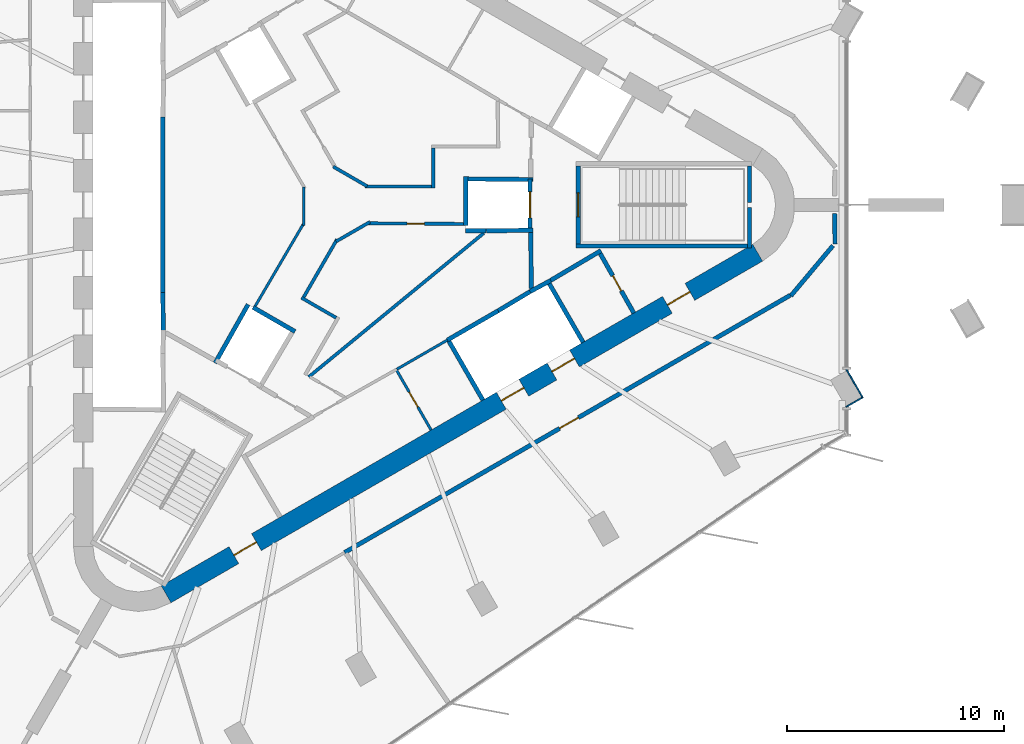
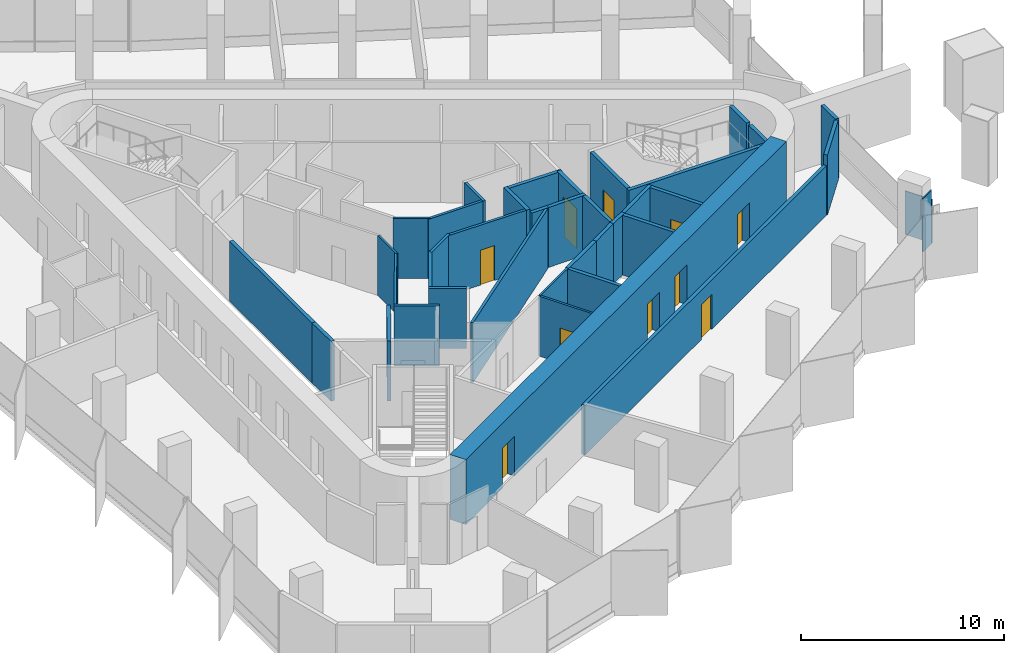
# One storey, part 8 of 12: 39 walls, 10 doors, 10 openings.
"""IFC4 building model written with IfcOpenShell, lengths in metres."""

import ifcopenshell
import ifcopenshell.guid

model = None  # the IFC model being written
_history = None  # IfcOwnerHistory: only IFC2X3 demands one
_inside = {}  # id of a spatial element -> (the spatial element, [elements in it])
_under = {}  # id of a project, library or spatial element -> (it, [spatial elements below it])
_declared = {}  # id of a project -> (the project, [libraries it declares])
_typed = {}  # id of a type object -> (the type object, [elements of that type])
_made_of = {}  # id of a material, layer set ... -> (it, [elements and type objects made of it])


def new_model(schema):
    """Start an empty IFC model of exactly this schema.

    Asked for "IFC4X3", IfcOpenShell would pick the latest addendum, in which some entities
    have other attributes; the version numbers below select the first issue.
    IFC2X3 requires an IfcOwnerHistory on every rooted entity: one is made here for all.
    """
    global model, _history
    if schema == "IFC4X3":
        model = ifcopenshell.file(schema_version=(4, 3, 0, 0))
    else:
        model = ifcopenshell.file(schema=schema)
    _inside.clear()
    _under.clear()
    _declared.clear()
    _typed.clear()
    _made_of.clear()
    _history = None
    if model.schema == "IFC2X3":
        org = make("IfcOrganization", Name="unknown")
        user = make(
            "IfcPersonAndOrganization",
            ThePerson=make("IfcPerson", FamilyName="unknown"),
            TheOrganization=org,
        )
        app = make(
            "IfcApplication",
            ApplicationDeveloper=org,
            Version="unknown",
            ApplicationFullName="unknown",
            ApplicationIdentifier="unknown",
        )
        _history = make(
            "IfcOwnerHistory",
            OwningUser=user,
            OwningApplication=app,
            ChangeAction="ADDED",
            CreationDate=0,
        )
    return model


def make(cls, **values):
    """One entity of the class cls with the attributes given. An attribute that is None is left unset."""
    return model.create_entity(
        cls, **{name: value for name, value in values.items() if value is not None}
    )


def rooted(cls, **values):
    """An entity with a GlobalId (a new one), such as an element, a storey or a relation."""
    return make(cls, GlobalId=ifcopenshell.guid.new(), OwnerHistory=_history, **values)


def si_unit(unit_type, name, prefix=None):
    """IfcSIUnit, for example si_unit("LENGTHUNIT", "METRE", prefix="MILLI")."""
    return make("IfcSIUnit", UnitType=unit_type, Prefix=prefix, Name=name)


def assignment(units):
    """IfcUnitAssignment: the units of a project."""
    return None if units is None else make("IfcUnitAssignment", Units=units)


def point(xyz):
    """IfcCartesianPoint."""
    return None if xyz is None else make("IfcCartesianPoint", Coordinates=xyz)


def direction(xyz):
    """IfcDirection."""
    return None if xyz is None else make("IfcDirection", DirectionRatios=xyz)


def frame(location, z_axis=None, x_axis=None):
    """IfcAxis2Placement3D, a coordinate frame: its origin and axes. An axis left out is left unset."""
    return make(
        "IfcAxis2Placement3D",
        Location=point(location),
        Axis=direction(z_axis),
        RefDirection=direction(x_axis),
    )


def frame_2d(location, x_axis=None):
    """IfcAxis2Placement2D, a coordinate frame in the plane: its origin and x axis."""
    return make(
        "IfcAxis2Placement2D", Location=point(location), RefDirection=direction(x_axis)
    )


def origin():
    """The frame at (0, 0, 0) with its axes left unset."""
    return frame((0.0, 0.0, 0.0))


def place(relative_to, where):
    """IfcLocalPlacement: puts the frame where relative to a parent placement (None: the world)."""
    return make(
        "IfcLocalPlacement", PlacementRelTo=relative_to, RelativePlacement=where
    )


def context(
    kind, dimensions, precision=None, world=None, true_north=None, identifier=None
):
    """IfcGeometricRepresentationContext, for example the 3D "Model" context."""
    return make(
        "IfcGeometricRepresentationContext",
        ContextIdentifier=identifier,
        ContextType=kind,
        CoordinateSpaceDimension=dimensions,
        Precision=precision,
        WorldCoordinateSystem=world,
        TrueNorth=true_north,
    )


def subcontext(parent, identifier, kind, view, scale=None):
    """IfcGeometricRepresentationSubContext, for example "Body" below "Model"."""
    return make(
        "IfcGeometricRepresentationSubContext",
        ContextIdentifier=identifier,
        ContextType=kind,
        ParentContext=parent,
        TargetScale=scale,
        TargetView=view,
    )


def project(units=None, contexts=None):
    """IfcProject with its units and contexts."""
    return rooted(
        "IfcProject",
        Name="project",
        RepresentationContexts=contexts,
        UnitsInContext=assignment(units),
    )


def spatial(cls, under=None, at=None, **own):
    """A site, building, storey or space (cls), placed at a placement, below another one or the project."""
    s = rooted(cls, ObjectPlacement=at, **own)
    if under is not None:
        _under.setdefault(under.id(), (under, []))[1].append(s)
    return s


def profile(cls, at=None, kind="AREA", **sizes):
    """A parametric profile (cls). Its sizes go by their IFC names, for example OverallWidth=200.0."""
    return make(cls, ProfileType=kind, Position=at, **sizes)


def rectangle(**sizes):
    """IfcRectangleProfileDef."""
    return profile("IfcRectangleProfileDef", **sizes)


def extrude(swept, where, along, depth):
    """IfcExtrudedAreaSolid: the profile swept, set in the frame where, extruded along a direction by depth."""
    return make(
        "IfcExtrudedAreaSolid",
        SweptArea=swept,
        Position=where,
        ExtrudedDirection=direction(along),
        Depth=depth,
    )


def shape(context_of_items, identifier, shape_type, items):
    """IfcShapeRepresentation: the items that make up one representation, for example the "Body"."""
    return make(
        "IfcShapeRepresentation",
        ContextOfItems=context_of_items,
        RepresentationIdentifier=identifier,
        RepresentationType=shape_type,
        Items=items,
    )


def material(Name=None, Category=None):
    """IfcMaterial."""
    return make("IfcMaterial", Name=Name, Category=Category)


def layer(
    of_material, thickness, ventilated=None, Name=None, Category=None, Priority=None
):
    """IfcMaterialLayer: one layer of a wall or slab, of a material (None: an air gap)."""
    return make(
        "IfcMaterialLayer",
        Material=of_material,
        LayerThickness=thickness,
        IsVentilated=ventilated,
        Name=Name,
        Category=Category,
        Priority=Priority,
    )


def layer_set(layers, Name=None):
    """IfcMaterialLayerSet."""
    return make("IfcMaterialLayerSet", MaterialLayers=layers, LayerSetName=Name)


def made_of(thing, what):
    """Note that an element or type object is made of a material, layer set ...; save() writes the relation."""
    if what is not None:
        _made_of.setdefault(what.id(), (what, []))[1].append(thing)
    return thing


def type_object(cls, material=None, **own):
    """A type object (cls), such as IfcWallType, which elements share."""
    return made_of(rooted(cls, **own), material)


def element(
    cls,
    number,
    at=None,
    inside=None,
    cuts=None,
    type_object=None,
    material=None,
    context=None,
    identifier="Body",
    shape_type=None,
    held_by="IfcProductDefinitionShape",
    body=None,
    shapes=None,
    **own,
):
    """One element of the class cls, such as IfcWall. Its Tag is "e" and its number.

    at: its placement. inside: the storey or other place that contains it. cuts: it is an
    opening in that element (IfcRelVoidsElement). A single representation is given by context,
    identifier, shape_type and body (its items); several are given by shapes. held_by: the class
    of the entity that holds the representations. save() writes the other relations.
    """
    e = rooted(cls, Tag="e%d" % number, ObjectPlacement=at, **own)
    if body is not None:
        shapes = [shape(context, identifier, shape_type, body)]
    if shapes is not None:
        e.Representation = make(held_by, Representations=shapes)
    if inside is not None:
        _inside.setdefault(inside.id(), (inside, []))[1].append(e)
    if cuts is not None:
        rooted(
            "IfcRelVoidsElement", RelatingBuildingElement=cuts, RelatedOpeningElement=e
        )
    if type_object is not None:
        _typed.setdefault(type_object.id(), (type_object, []))[1].append(e)
    return made_of(e, material)


def fill(opening, filler):
    """IfcRelFillsElement: the door or window that sits in an opening."""
    return rooted(
        "IfcRelFillsElement",
        RelatingOpeningElement=opening,
        RelatedBuildingElement=filler,
    )


def aggregate(whole, parts):
    """IfcRelAggregates: a whole, such as a stair, and the parts it consists of."""
    return rooted("IfcRelAggregates", RelatingObject=whole, RelatedObjects=parts)


def save(model, path):
    """Write the relations noted so far, then the file.

    IfcRelAggregates (storeys below a building ...), IfcRelContainedInSpatialStructure (elements
    in a storey), IfcRelDefinesByType, IfcRelAssociatesMaterial and IfcRelDeclares: one each for
    every whole, place, type object, material and project.
    """
    for whole, parts in _under.values():
        aggregate(whole, parts)
    for where, things in _inside.values():
        rooted(
            "IfcRelContainedInSpatialStructure",
            RelatedElements=things,
            RelatingStructure=where,
        )
    for kind, things in _typed.values():
        rooted("IfcRelDefinesByType", RelatedObjects=things, RelatingType=kind)
    for what, things in _made_of.values():
        rooted("IfcRelAssociatesMaterial", RelatedObjects=things, RelatingMaterial=what)
    for by, libraries in _declared.values():
        rooted("IfcRelDeclares", RelatingContext=by, RelatedDefinitions=libraries)
    model.write(path)


model = new_model("IFC4")

# Units and contexts
model_context = context("Model", 3, precision=1e-05, world=origin(), true_north=direction((0.0, 1.0)))
body_context = subcontext(model_context, "Body", "Model", "MODEL_VIEW")
ifc_project = project(units=[si_unit("LENGTHUNIT", "METRE"), si_unit("AREAUNIT", "SQUARE_METRE"), si_unit("VOLUMEUNIT", "CUBIC_METRE"), si_unit("PLANEANGLEUNIT", "RADIAN"), si_unit("MASSUNIT", "GRAM", prefix="KILO")], contexts=[model_context])

# Site, building, storey
site_placement = place(None, origin())
site = spatial("IfcSite", under=ifc_project, at=site_placement, CompositionType="ELEMENT")
building_placement = place(site_placement, origin())
building = spatial("IfcBuilding", under=site, at=building_placement, Name="Tanit Gate Tower", CompositionType="ELEMENT")
storey_placement = place(building_placement, frame((0.0, 0.0, 372.800048828125)))
storey = spatial("IfcBuildingStorey", under=building, at=storey_placement, Name="L85", CompositionType="ELEMENT", Elevation=372.800048828125)

# Wall, openings, doors
ifc_material_1 = material(Name="Concrete C40/50", Category="concrete")
ifc_layer_1 = layer(ifc_material_1, 0.89990234375)
ifc_layer_set_1 = layer_set([ifc_layer_1], Name="CORE WALL 900 C40/50")
wall_type_1 = type_object("IfcWallType", Name="CORE WALL 900 C40/50", PredefinedType="SHEAR", material=ifc_layer_set_1)
wall_1_placement = place(storey_placement, frame((-7.824951171875, -17.969970703125, 0.0), z_axis=(0.0, 0.0, 1.0), x_axis=(0.866028369851, 0.499994862586, 0.0)))
wall_1 = element("IfcWall", 1, at=wall_1_placement, inside=storey, type_object=wall_type_1, Name="CORE WALL", PredefinedType="SHEAR", context=body_context, shape_type="SweptSolid", body=[
    extrude(rectangle(XDim=31.523193359375, YDim=0.89990234375, at=frame_2d((15.76171875, 0.0))), origin(), (0.0, 0.0, 1.0), 3.89990234375),
])
opening_1_placement = place(wall_1_placement, frame((17.861572265625, 0.0, 0.0)))
opening_1 = element("IfcOpeningElement", 2, at=opening_1_placement, cuts=wall_1, Name="Opening LDSV1-85", PredefinedType="OPENING", context=body_context, shape_type="SweptSolid", body=[
    extrude(rectangle(XDim=1.199951171875, YDim=2.39990234375, at=frame_2d((0.60009765625, 1.199951171875))), frame((0.0, 0.4599609375, 0.0), z_axis=(0.0, -1.0, 0.0), x_axis=(1.0, 0.0, 0.0)), (0.0, 0.0, 1.0), 0.919921875),
])
opening_2_placement = place(wall_1_placement, frame((20.561767578125, 0.0, 0.0)))
opening_2 = element("IfcOpeningElement", 3, at=opening_2_placement, cuts=wall_1, Name="Opening LDSV2-85", PredefinedType="OPENING", context=body_context, shape_type="SweptSolid", body=[
    extrude(rectangle(XDim=1.199951171875, YDim=2.39990234375, at=frame_2d((0.60009765625, 1.199951171875))), frame((0.0, 0.4599609375, 0.0), z_axis=(0.0, -1.0, 0.0), x_axis=(1.0, 0.0, 0.0)), (0.0, 0.0, 1.0), 0.919921875),
])
opening_3_placement = place(wall_1_placement, frame((26.711669921875, 0.0, 0.0)))
opening_3 = element("IfcOpeningElement", 4, at=opening_3_placement, cuts=wall_1, Name="Opening F12-85-S1", PredefinedType="OPENING", context=body_context, shape_type="SweptSolid", body=[
    extrude(rectangle(XDim=1.199951171875, YDim=2.39990234375, at=frame_2d((0.60009765625, 1.199951171875))), frame((0.0, 0.4599609375, 0.0), z_axis=(0.0, -1.0, 0.0), x_axis=(1.0, 0.0, 0.0)), (0.0, 0.0, 1.0), 0.919921875),
])
opening_4_placement = place(wall_1_placement, frame((3.611572265625, 0.0, 0.0)))
opening_4 = element("IfcOpeningElement", 5, at=opening_4_placement, cuts=wall_1, Name="Opening F12-85-FL3", PredefinedType="OPENING", context=body_context, shape_type="SweptSolid", body=[
    extrude(rectangle(XDim=1.199951171875, YDim=2.39990234375, at=frame_2d((0.60009765625, 1.199951171875))), frame((0.0, 0.4599609375, 0.0), z_axis=(0.0, -1.0, 0.0), x_axis=(1.0, 0.0, 0.0)), (0.0, 0.0, 1.0), 0.919921875),
])
ifc_material_2 = material(Name="Fire-rated steel door leaf", Category="steel")
door_type_1 = type_object("IfcDoorType", Name="INT-DOOR-FIRE-LOBBY-1200", OperationType="NOTDEFINED", PredefinedType="USERDEFINED", material=ifc_material_2)
door_1_placement = place(opening_3_placement, origin())
door_1 = element("IfcDoor", 6, at=door_1_placement, inside=storey, type_object=door_type_1, Name="Door F12-85-S1", ObjectType="FIRE DOOR", OperationType="SINGLE_SWING_LEFT", OverallHeight=2.39990234375, OverallWidth=1.199951171875, PredefinedType="USERDEFINED", context=body_context, shape_type="SweptSolid", body=[
    extrude(rectangle(XDim=1.199951171875, YDim=2.39990234375, at=frame_2d((0.60009765625, 1.199951171875))), frame((0.0, 0.02490234375, 0.0), z_axis=(0.0, -1.0, 0.0), x_axis=(1.0, 0.0, 0.0)), (0.0, 0.0, 1.0), 0.050048828125),
])
fill(opening_3, door_1)
door_2_placement = place(opening_4_placement, origin())
door_2 = element("IfcDoor", 7, at=door_2_placement, inside=storey, type_object=door_type_1, Name="Door F12-85-FL3", ObjectType="FIRE DOOR", OperationType="SINGLE_SWING_RIGHT", OverallHeight=2.39990234375, OverallWidth=1.199951171875, PredefinedType="USERDEFINED", context=body_context, shape_type="SweptSolid", body=[
    extrude(rectangle(XDim=1.199951171875, YDim=2.39990234375, at=frame_2d((0.60009765625, 1.199951171875))), frame((0.0, 0.02490234375, 0.0), z_axis=(0.0, -1.0, 0.0), x_axis=(1.0, 0.0, 0.0)), (0.0, 0.0, 1.0), 0.050048828125),
])
fill(opening_4, door_2)
ifc_material_3 = material(Name="Stainless steel sliding door leaf", Category="steel")
door_type_2 = type_object("IfcDoorType", Name="INT-DOOR-LANDING-1200", OperationType="NOTDEFINED", PredefinedType="USERDEFINED", material=ifc_material_3)
door_3_placement = place(opening_1_placement, origin())
door_3 = element("IfcDoor", 8, at=door_3_placement, inside=storey, type_object=door_type_2, Name="Door LDSV1-85", ObjectType="LANDING DOOR", OperationType="SLIDING_TO_LEFT", OverallHeight=2.39990234375, OverallWidth=1.199951171875, PredefinedType="USERDEFINED", context=body_context, shape_type="SweptSolid", body=[
    extrude(rectangle(XDim=1.199951171875, YDim=2.39990234375, at=frame_2d((0.60009765625, 1.199951171875))), frame((0.0, 0.02490234375, 0.0), z_axis=(0.0, -1.0, 0.0), x_axis=(1.0, 0.0, 0.0)), (0.0, 0.0, 1.0), 0.050048828125),
])
fill(opening_1, door_3)
door_4_placement = place(opening_2_placement, origin())
door_4 = element("IfcDoor", 9, at=door_4_placement, inside=storey, type_object=door_type_2, Name="Door LDSV2-85", ObjectType="LANDING DOOR", OperationType="SLIDING_TO_LEFT", OverallHeight=2.39990234375, OverallWidth=1.199951171875, PredefinedType="USERDEFINED", context=body_context, shape_type="SweptSolid", body=[
    extrude(rectangle(XDim=1.199951171875, YDim=2.39990234375, at=frame_2d((0.60009765625, 1.199951171875))), frame((0.0, 0.02490234375, 0.0), z_axis=(0.0, -1.0, 0.0), x_axis=(1.0, 0.0, 0.0)), (0.0, 0.0, 1.0), 0.050048828125),
])
fill(opening_2, door_4)

# Walls
ifc_material_4 = material(Name="Bronze anodised aluminium cladding", Category="aluminium")
ifc_layer_2 = layer(ifc_material_4, 0.06005859375)
ifc_layer_set_2 = layer_set([ifc_layer_2], Name="Column casing bronze 60")
wall_type_2 = type_object("IfcWallType", Name="Column casing bronze 60", PredefinedType="SOLIDWALL", material=ifc_layer_set_2)
wall_2_placement = place(storey_placement, frame((23.568603515625, -7.5927734375, 0.0), z_axis=(0.0, 0.0, 1.0), x_axis=(0.499991248344, -0.866030456496, 0.0)))
element("IfcWall", 10, at=wall_2_placement, inside=storey, type_object=wall_type_2, Name="Column casing L85 P-SE7.L1", PredefinedType="SOLIDWALL", context=body_context, shape_type="SweptSolid", body=[
    extrude(rectangle(XDim=1.52001953125, YDim=0.06005859375, at=frame_2d((0.760009765625, 0.0))), origin(), (0.0, 0.0, 1.0), 2.60986328125),
])
wall_3_placement = place(storey_placement, frame((23.551513671875, -9.3232421875, 0.0), z_axis=(0.0, 0.0, 1.0), x_axis=(0.866061263272, 0.499937884402, 0.0)))
element("IfcWall", 11, at=wall_3_placement, inside=storey, type_object=wall_type_2, Name="Column casing L85 P-SE7.S1", PredefinedType="SOLIDWALL", context=body_context, shape_type="SweptSolid", body=[
    extrude(rectangle(XDim=0.85009765625, YDim=0.06005859375, at=frame_2d((0.425048828125, 0.0))), origin(), (0.0, 0.0, 1.0), 3.2099609375),
])
ifc_material_5 = material(Name="Fire-rated gypsum board partition")
ifc_layer_3 = layer(ifc_material_5, 0.199951171875)
ifc_layer_set_3 = layer_set([ifc_layer_3], Name="INT-WALL-COMPARTMENT")
wall_type_3 = type_object("IfcWallType", Name="INT-WALL-COMPARTMENT", PredefinedType="PARTITIONING", material=ifc_layer_set_3)
wall_4_placement = place(storey_placement, frame((12.244873046875, -2.10888671875, 0.0), z_axis=(0.0, 0.0, 1.0), x_axis=(-0.860414880418, -0.509594185166, 0.0)))
element("IfcWall", 12, at=wall_4_placement, inside=storey, type_object=wall_type_3, Name="Wall Compartment W065", PredefinedType="PARTITIONING", context=body_context, shape_type="SweptSolid", body=[
    extrude(rectangle(XDim=2.7001953125, YDim=0.199951171875, at=frame_2d((1.35009765625, 0.0))), origin(), (0.0, 0.0, 1.0), 3.599853515625),
])

# Wall, opening, door
wall_5_placement = place(storey_placement, frame((13.758056640625, -4.989501953125, 0.0), z_axis=(0.0, 0.0, 1.0), x_axis=(-0.491993409184, 0.87059892334, 0.0)))
wall_5 = element("IfcWall", 13, at=wall_5_placement, inside=storey, type_object=wall_type_3, Name="Wall Compartment W066", PredefinedType="PARTITIONING", context=body_context, shape_type="SweptSolid", body=[
    extrude(rectangle(XDim=3.150146484375, YDim=0.199951171875, at=frame_2d((1.5751953125, 0.0))), origin(), (0.0, 0.0, 1.0), 3.599853515625),
])
opening_5_placement = place(wall_5_placement, frame((1.175048828125, 0.0, 0.0)))
opening_5 = element("IfcOpeningElement", 14, at=opening_5_placement, cuts=wall_5, Name="Opening R08-85-20", PredefinedType="OPENING", context=body_context, shape_type="SweptSolid", body=[
    extrude(rectangle(XDim=0.800048828125, YDim=2.10009765625, at=frame_2d((0.39990234375, 1.050048828125))), frame((0.0, 0.10986328125, 0.0), z_axis=(0.0, -1.0, 0.0), x_axis=(1.0, 0.0, 0.0)), (0.0, 0.0, 1.0), 0.219970703125),
])
ifc_material_6 = material(Name="Timber door leaf", Category="wood")
door_type_3 = type_object("IfcDoorType", Name="INT-DOOR-RISER-800", OperationType="NOTDEFINED", PredefinedType="USERDEFINED", material=ifc_material_6)
door_5_placement = place(opening_5_placement, origin())
door_5 = element("IfcDoor", 15, at=door_5_placement, inside=storey, type_object=door_type_3, Name="Door R08-85-20", ObjectType="FIRE DOOR", OperationType="SINGLE_SWING_LEFT", OverallHeight=2.10009765625, OverallWidth=0.800048828125, PredefinedType="USERDEFINED", context=body_context, shape_type="SweptSolid", body=[
    extrude(rectangle(XDim=0.800048828125, YDim=2.10009765625, at=frame_2d((0.39990234375, 1.050048828125))), frame((0.0, 0.02490234375, 0.0), z_axis=(0.0, -1.0, 0.0), x_axis=(1.0, 0.0, 0.0)), (0.0, 0.0, 1.0), 0.050048828125),
])
fill(opening_5, door_5)

# Walls
wall_6_placement = place(storey_placement, frame((9.02880859375, -3.8505859375, 0.0), z_axis=(0.0, 0.0, 1.0), x_axis=(-0.010784614026, 0.999941844359, 0.0)))
element("IfcWall", 16, at=wall_6_placement, inside=storey, type_object=wall_type_3, Name="Wall Compartment W067", PredefinedType="PARTITIONING", context=body_context, shape_type="SweptSolid", body=[
    extrude(rectangle(XDim=2.580810546875, YDim=0.199951171875, at=frame_2d((1.29052734375, 0.0))), origin(), (0.0, 0.0, 1.0), 3.599853515625),
])
wall_7_placement = place(storey_placement, frame((23.046875, -1.80126953125, 0.0), z_axis=(0.0, 0.0, 1.0), x_axis=(-0.017070682919, 0.999854285276, 0.0)))
element("IfcWall", 17, at=wall_7_placement, inside=storey, type_object=wall_type_3, Name="Wall Compartment W123", PredefinedType="PARTITIONING", context=body_context, shape_type="SweptSolid", body=[
    extrude(rectangle(XDim=1.401611328125, YDim=0.199951171875, at=frame_2d((0.70068359375, 0.0))), origin(), (0.0, 0.0, 1.0), 3.599853515625),
])
wall_8_placement = place(storey_placement, frame((21.009765625, -4.190673828125, 0.0), z_axis=(0.0, 0.0, 1.0), x_axis=(0.642808479337, 0.766026930918, 0.0)))
element("IfcWall", 18, at=wall_8_placement, inside=storey, type_object=wall_type_3, Name="Wall Compartment W124", PredefinedType="PARTITIONING", context=body_context, shape_type="SweptSolid", body=[
    extrude(rectangle(XDim=3.015625, YDim=0.199951171875, at=frame_2d((1.5078125, 0.0))), origin(), (0.0, 0.0, 1.0), 3.599853515625),
])

# Wall, opening, door
wall_9_placement = place(storey_placement, frame((0.4150390625, -16.04150390625, 0.0), z_axis=(0.0, 0.0, 1.0), x_axis=(0.866027274814, 0.499996759268, 0.0)))
wall_9 = element("IfcWall", 19, at=wall_9_placement, inside=storey, type_object=wall_type_3, Name="Wall Compartment W125", PredefinedType="PARTITIONING", context=body_context, shape_type="SweptSolid", body=[
    extrude(rectangle(XDim=23.755126953125, YDim=0.199951171875, at=frame_2d((11.87744140625, 0.0))), origin(), (0.0, 0.0, 1.0), 2.969970703125),
])
opening_6_placement = place(wall_9_placement, frame((11.456298828125, 0.0, 0.0)))
opening_6 = element("IfcOpeningElement", 20, at=opening_6_placement, cuts=wall_9, Name="Opening F10-85-30", PredefinedType="OPENING", context=body_context, shape_type="SweptSolid", body=[
    extrude(rectangle(XDim=1.0, YDim=2.10009765625, at=frame_2d((0.5, 1.050048828125))), frame((0.0, 0.10986328125, 0.0), z_axis=(0.0, -1.0, 0.0), x_axis=(1.0, 0.0, 0.0)), (0.0, 0.0, 1.0), 0.219970703125),
])
ifc_material_7 = material(Name="Fire-rated steel door leaf", Category="steel")
door_type_4 = type_object("IfcDoorType", Name="INT-DOOR-FIRE-1000", OperationType="NOTDEFINED", PredefinedType="USERDEFINED", material=ifc_material_7)
door_6_placement = place(opening_6_placement, origin())
door_6 = element("IfcDoor", 21, at=door_6_placement, inside=storey, type_object=door_type_4, Name="Door F10-85-30", ObjectType="FIRE DOOR", OperationType="SINGLE_SWING_RIGHT", OverallHeight=2.10009765625, OverallWidth=1.0, PredefinedType="USERDEFINED", context=body_context, shape_type="SweptSolid", body=[
    extrude(rectangle(XDim=1.0, YDim=2.10009765625, at=frame_2d((0.5, 1.050048828125))), frame((0.0, 0.02490234375, 0.0), z_axis=(0.0, -1.0, 0.0), x_axis=(1.0, 0.0, 0.0)), (0.0, 0.0, 1.0), 0.050048828125),
])
fill(opening_6, door_6)

ifc_material_8 = material(Name="Gypsum board partition")
ifc_layer_4 = layer(ifc_material_8, 0.1201171875)
ifc_layer_set_4 = layer_set([ifc_layer_4], Name="INT-WALL-PARTITION")
wall_type_4 = type_object("IfcWallType", Name="INT-WALL-PARTITION", PredefinedType="PARTITIONING", material=ifc_layer_set_4)
wall_10_placement = place(storey_placement, frame((4.40478515625, -10.389404296875, 0.0), z_axis=(0.0, 0.0, 1.0), x_axis=(-0.500017246033, 0.866015446554, 0.0)))
wall_10 = element("IfcWall", 22, at=wall_10_placement, inside=storey, type_object=wall_type_4, Name="Wall Partition W059", PredefinedType="PARTITIONING", context=body_context, shape_type="SweptSolid", body=[
    extrude(rectangle(XDim=3.25, YDim=0.1201171875, at=frame_2d((1.625, 0.0))), origin(), (0.0, 0.0, 1.0), 3.599853515625),
])
opening_7_placement = place(wall_10_placement, frame((1.22509765625, 0.0, 0.0)))
opening_7 = element("IfcOpeningElement", 23, at=opening_7_placement, cuts=wall_10, Name="Opening R08-85-19", PredefinedType="OPENING", context=body_context, shape_type="SweptSolid", body=[
    extrude(rectangle(XDim=0.800048828125, YDim=2.10009765625, at=frame_2d((0.39990234375, 1.050048828125))), frame((0.0, 0.070068359375, 0.0), z_axis=(0.0, -1.0, 0.0), x_axis=(1.0, 0.0, 0.0)), (0.0, 0.0, 1.0), 0.14013671875),
])
door_7_placement = place(opening_7_placement, origin())
door_7 = element("IfcDoor", 24, at=door_7_placement, inside=storey, type_object=door_type_3, Name="Door R08-85-19", ObjectType="FIRE DOOR", OperationType="SINGLE_SWING_LEFT", OverallHeight=2.10009765625, OverallWidth=0.800048828125, PredefinedType="USERDEFINED", context=body_context, shape_type="SweptSolid", body=[
    extrude(rectangle(XDim=0.800048828125, YDim=2.10009765625, at=frame_2d((0.39990234375, 1.050048828125))), frame((0.0, 0.02490234375, 0.0), z_axis=(0.0, -1.0, 0.0), x_axis=(1.0, 0.0, 0.0)), (0.0, 0.0, 1.0), 0.050048828125),
])
fill(opening_7, door_7)

# Walls
wall_11_placement = place(storey_placement, frame((2.82080078125, -7.5859375, 0.0), z_axis=(0.0, 0.0, 1.0), x_axis=(0.866019956843, 0.50000943426, 0.0)))
element("IfcWall", 25, at=wall_11_placement, inside=storey, type_object=wall_type_4, Name="Wall Partition W064", PredefinedType="PARTITIONING", context=body_context, shape_type="SweptSolid", body=[
    extrude(rectangle(XDim=2.7001953125, YDim=0.1201171875, at=frame_2d((1.35009765625, 0.0))), origin(), (0.0, 0.0, 1.0), 3.599853515625),
])
wall_12_placement = place(storey_placement, frame((-1.47216796875, -0.952392578125, 0.0), z_axis=(0.0, 0.0, 1.0), x_axis=(0.0, 1.0, 0.0)))
element("IfcWall", 26, at=wall_12_placement, inside=storey, type_object=wall_type_4, Name="Wall Partition W074", PredefinedType="PARTITIONING", context=body_context, shape_type="SweptSolid", body=[
    extrude(rectangle(XDim=1.783447265625, YDim=0.1201171875, at=frame_2d((0.8916015625, 0.0))), origin(), (0.0, 0.0, 1.0), 3.599853515625),
])
wall_13_placement = place(storey_placement, frame((-3.711181640625, -4.670166015625, 0.0), z_axis=(0.0, 0.0, 1.0), x_axis=(0.505649867547, 0.862738785178, 0.0)))
element("IfcWall", 27, at=wall_13_placement, inside=storey, type_object=wall_type_4, Name="Wall Partition W075", PredefinedType="PARTITIONING", context=body_context, shape_type="SweptSolid", body=[
    extrude(rectangle(XDim=4.4091796875, YDim=0.1201171875, at=frame_2d((2.20458984375, 0.0))), origin(), (0.0, 0.0, 1.0), 3.599853515625),
])
ifc_material_9 = material(Name="Fire-rated gypsum board partition")
ifc_layer_5 = layer(ifc_material_9, 0.14990234375)
ifc_layer_set_5 = layer_set([ifc_layer_5], Name="INT-WALL-RISER")
wall_type_5 = type_object("IfcWallType", Name="INT-WALL-RISER", PredefinedType="PLUMBINGWALL", material=ifc_layer_set_5)
wall_14_placement = place(storey_placement, frame((6.833740234375, -1.3017578125, 0.0), z_axis=(0.0, 0.0, 1.0), x_axis=(-0.772564687607, -0.634936062499, 0.0)))
element("IfcWall", 28, at=wall_14_placement, inside=storey, type_object=wall_type_5, Name="Wall Riser W076", PredefinedType="PLUMBINGWALL", context=body_context, shape_type="SweptSolid", body=[
    extrude(rectangle(XDim=10.457275390625, YDim=0.14990234375, at=frame_2d((5.228515625, 0.0))), origin(), (0.0, 0.0, 1.0), 3.599853515625),
])
wall_15_placement = place(storey_placement, frame((-1.578857421875, -4.28466796875, 0.0), z_axis=(0.0, 0.0, 1.0), x_axis=(0.866033964044, -0.499985172903, 0.0)))
element("IfcWall", 29, at=wall_15_placement, inside=storey, type_object=wall_type_5, Name="Wall Riser W078", PredefinedType="PLUMBINGWALL", context=body_context, shape_type="SweptSolid", body=[
    extrude(rectangle(XDim=1.85009765625, YDim=0.14990234375, at=frame_2d((0.925048828125, 0.0))), origin(), (0.0, 0.0, 1.0), 3.599853515625),
])
wall_16_placement = place(storey_placement, frame((0.06494140625, -1.58740234375, 0.0), z_axis=(0.0, 0.0, 1.0), x_axis=(-0.499980683721, -0.866036555756, 0.0)))
element("IfcWall", 30, at=wall_16_placement, inside=storey, type_object=wall_type_5, Name="Wall Riser W079", PredefinedType="PLUMBINGWALL", context=body_context, shape_type="SweptSolid", body=[
    extrude(rectangle(XDim=3.08251953125, YDim=0.14990234375, at=frame_2d((1.541259765625, 0.0))), origin(), (0.0, 0.0, 1.0), 3.599853515625),
])
wall_17_placement = place(storey_placement, frame((1.5830078125, -0.7861328125, 0.0), z_axis=(0.0, 0.0, 1.0), x_axis=(-0.866036909293, -0.499980071345, 0.0)))
element("IfcWall", 31, at=wall_17_placement, inside=storey, type_object=wall_type_5, Name="Wall Riser W080", PredefinedType="PLUMBINGWALL", context=body_context, shape_type="SweptSolid", body=[
    extrude(rectangle(XDim=1.8046875, YDim=0.14990234375, at=frame_2d((0.90234375, 0.0))), origin(), (0.0, 0.0, 1.0), 3.599853515625),
])

# Wall, opening, door
wall_18_placement = place(storey_placement, frame((5.89990234375, -0.87890625, 0.0), z_axis=(0.0, 0.0, 1.0), x_axis=(-0.999978605844, 0.006541242613, 0.0)))
wall_18 = element("IfcWall", 32, at=wall_18_placement, inside=storey, type_object=wall_type_5, Name="Wall Riser W081", PredefinedType="PLUMBINGWALL", context=body_context, shape_type="SweptSolid", body=[
    extrude(rectangle(XDim=4.404052734375, YDim=0.14990234375, at=frame_2d((2.2021484375, 0.0))), origin(), (0.0, 0.0, 1.0), 3.599853515625),
])
opening_8_placement = place(wall_18_placement, frame((1.802001953125, 0.0, 0.0)))
opening_8 = element("IfcOpeningElement", 33, at=opening_8_placement, cuts=wall_18, Name="Opening R08-85-11", PredefinedType="OPENING", context=body_context, shape_type="SweptSolid", body=[
    extrude(rectangle(XDim=0.800048828125, YDim=2.10009765625, at=frame_2d((0.39990234375, 1.050048828125))), frame((0.0, 0.0849609375, 0.0), z_axis=(0.0, -1.0, 0.0), x_axis=(1.0, 0.0, 0.0)), (0.0, 0.0, 1.0), 0.169921875),
])
door_8_placement = place(opening_8_placement, origin())
door_8 = element("IfcDoor", 34, at=door_8_placement, inside=storey, type_object=door_type_3, Name="Door R08-85-11", ObjectType="FIRE DOOR", OperationType="SINGLE_SWING_RIGHT", OverallHeight=2.10009765625, OverallWidth=0.800048828125, PredefinedType="USERDEFINED", context=body_context, shape_type="SweptSolid", body=[
    extrude(rectangle(XDim=0.800048828125, YDim=2.10009765625, at=frame_2d((0.39990234375, 1.050048828125))), frame((0.0, 0.02490234375, 0.0), z_axis=(0.0, -1.0, 0.0), x_axis=(1.0, 0.0, 0.0)), (0.0, 0.0, 1.0), 0.050048828125),
])
fill(opening_8, door_8)

# Walls
wall_19_placement = place(storey_placement, frame((4.5, 0.77490234375, 0.0), z_axis=(0.0, 0.0, 1.0), x_axis=(0.0, 1.0, 0.0)))
element("IfcWall", 35, at=wall_19_placement, inside=storey, type_object=wall_type_5, Name="Wall Riser W085", PredefinedType="PLUMBINGWALL", context=body_context, shape_type="SweptSolid", body=[
    extrude(rectangle(XDim=1.85009765625, YDim=0.14990234375, at=frame_2d((0.925048828125, 0.0))), origin(), (0.0, 0.0, 1.0), 3.599853515625),
])
wall_20_placement = place(storey_placement, frame((1.34228515625, 0.85009765625, 0.0), z_axis=(0.0, 0.0, 1.0), x_axis=(1.0, 0.0, 0.0)))
element("IfcWall", 36, at=wall_20_placement, inside=storey, type_object=wall_type_5, Name="Wall Riser W086", PredefinedType="PLUMBINGWALL", context=body_context, shape_type="SweptSolid", body=[
    extrude(rectangle(XDim=3.082763671875, YDim=0.14990234375, at=frame_2d((1.54150390625, 0.0))), origin(), (0.0, 0.0, 1.0), 3.599853515625),
])
wall_21_placement = place(storey_placement, frame((-0.112548828125, 1.764892578125, 0.0), z_axis=(0.0, 0.0, 1.0), x_axis=(0.866039322102, -0.499975891992, 0.0)))
element("IfcWall", 37, at=wall_21_placement, inside=storey, type_object=wall_type_5, Name="Wall Riser W087", PredefinedType="PLUMBINGWALL", context=body_context, shape_type="SweptSolid", body=[
    extrude(rectangle(XDim=1.806640625, YDim=0.14990234375, at=frame_2d((0.9033203125, 0.0))), origin(), (0.0, 0.0, 1.0), 3.599853515625),
])
ifc_material_10 = material(Name="Gypsum shaft wall system")
ifc_layer_6 = layer(ifc_material_10, 0.199951171875)
ifc_layer_set_6 = layer_set([ifc_layer_6], Name="INT-WALL-SHAFT")
wall_type_6 = type_object("IfcWallType", Name="INT-WALL-SHAFT", PredefinedType="PLUMBINGWALL", material=ifc_layer_set_6)
wall_22_placement = place(storey_placement, frame((-7.97998046875, 4.050048828125, 0.0), z_axis=(0.0, 0.0, 1.0), x_axis=(0.0, -1.0, 0.0)))
element("IfcWall", 38, at=wall_22_placement, inside=storey, type_object=wall_type_6, Name="Wall Shaft W005", PredefinedType="PLUMBINGWALL", context=body_context, shape_type="SweptSolid", body=[
    extrude(rectangle(XDim=8.10009765625, YDim=0.199951171875, at=frame_2d((4.050048828125, 0.0))), origin(), (0.0, 0.0, 1.0), 3.599853515625),
])
wall_23_placement = place(storey_placement, frame((-7.97998046875, -4.050048828125, 0.0), z_axis=(0.0, 0.0, 1.0), x_axis=(0.016809909365, -0.999858703491, 0.0)))
element("IfcWall", 39, at=wall_23_placement, inside=storey, type_object=wall_type_6, Name="Wall Shaft W009", PredefinedType="PLUMBINGWALL", context=body_context, shape_type="SweptSolid", body=[
    extrude(rectangle(XDim=1.844482421875, YDim=0.199951171875, at=frame_2d((0.92236328125, 0.0))), origin(), (0.0, 0.0, 1.0), 3.599853515625),
])
wall_24_placement = place(storey_placement, frame((6.795166015625, -9.009521484375, 0.0), z_axis=(0.0, 0.0, 1.0), x_axis=(-0.499984717929, 0.866034226713, 0.0)))
element("IfcWall", 40, at=wall_24_placement, inside=storey, type_object=wall_type_6, Name="Wall Shaft W015", PredefinedType="PLUMBINGWALL", context=body_context, shape_type="SweptSolid", body=[
    extrude(rectangle(XDim=3.25, YDim=0.199951171875, at=frame_2d((1.625, 0.0))), origin(), (0.0, 0.0, 1.0), 3.599853515625),
])
wall_25_placement = place(storey_placement, frame((5.1591796875, -6.23583984375, 0.0), z_axis=(0.0, 0.0, 1.0), x_axis=(0.866036505625, 0.499980770555, 0.0)))
element("IfcWall", 41, at=wall_25_placement, inside=storey, type_object=wall_type_6, Name="Wall Shaft W016", PredefinedType="PLUMBINGWALL", context=body_context, shape_type="SweptSolid", body=[
    extrude(rectangle(XDim=2.69970703125, YDim=0.199951171875, at=frame_2d((1.349853515625, 0.0))), origin(), (0.0, 0.0, 1.0), 3.599853515625),
])
wall_26_placement = place(storey_placement, frame((9.794677734375, -3.52490234375, 0.0), z_axis=(0.0, 0.0, 1.0), x_axis=(0.499984717929, -0.866034226713, 0.0)))
element("IfcWall", 42, at=wall_26_placement, inside=storey, type_object=wall_type_6, Name="Wall Shaft W017", PredefinedType="PLUMBINGWALL", context=body_context, shape_type="SweptSolid", body=[
    extrude(rectangle(XDim=3.25, YDim=0.199951171875, at=frame_2d((1.625, 0.0))), origin(), (0.0, 0.0, 1.0), 3.599853515625),
])
wall_27_placement = place(storey_placement, frame((8.97412109375, -3.998779296875, 0.0), z_axis=(0.0, 0.0, 1.0), x_axis=(0.880907015104, 0.473289373154, 0.0)))
element("IfcWall", 43, at=wall_27_placement, inside=storey, type_object=wall_type_6, Name="Wall Shaft W018", PredefinedType="PLUMBINGWALL", context=body_context, shape_type="SweptSolid", body=[
    extrude(rectangle(XDim=1.078125, YDim=0.199951171875, at=frame_2d((0.5390625, 0.0))), origin(), (0.0, 0.0, 1.0), 3.599853515625),
])
wall_28_placement = place(storey_placement, frame((7.497314453125, -4.885986328125, 0.0), z_axis=(0.0, 0.0, 1.0), x_axis=(0.857516281273, 0.51445682749, 0.0)))
element("IfcWall", 44, at=wall_28_placement, inside=storey, type_object=wall_type_6, Name="Wall Shaft W019", PredefinedType="PLUMBINGWALL", context=body_context, shape_type="SweptSolid", body=[
    extrude(rectangle(XDim=1.8447265625, YDim=0.199951171875, at=frame_2d((0.92236328125, 0.0))), origin(), (0.0, 0.0, 1.0), 3.599853515625),
])

# Wall, opening, door
wall_29_placement = place(storey_placement, frame((8.969970703125, 1.199951171875, 0.0), z_axis=(0.0, 0.0, 1.0), x_axis=(0.0, -1.0, 0.0)))
wall_29 = element("IfcWall", 45, at=wall_29_placement, inside=storey, type_object=wall_type_6, Name="Wall Shaft W025", PredefinedType="PLUMBINGWALL", context=body_context, shape_type="SweptSolid", body=[
    extrude(rectangle(XDim=2.39990234375, YDim=0.199951171875, at=frame_2d((1.199951171875, 0.0))), origin(), (0.0, 0.0, 1.0), 3.599853515625),
])
opening_9_placement = place(wall_29_placement, frame((0.60009765625, 0.0, 0.0)))
opening_9 = element("IfcOpeningElement", 46, at=opening_9_placement, cuts=wall_29, Name="Opening LDFL1-L85", PredefinedType="OPENING", context=body_context, shape_type="SweptSolid", body=[
    extrude(rectangle(XDim=1.199951171875, YDim=2.39990234375, at=frame_2d((0.60009765625, 1.199951171875))), frame((0.0, 0.10986328125, 0.0), z_axis=(0.0, -1.0, 0.0), x_axis=(1.0, 0.0, 0.0)), (0.0, 0.0, 1.0), 0.219970703125),
])
door_9_placement = place(opening_9_placement, origin())
door_9 = element("IfcDoor", 47, at=door_9_placement, inside=storey, type_object=door_type_2, Name="Door LDFL1-L85", ObjectType="LANDING DOOR", OperationType="SLIDING_TO_LEFT", OverallHeight=2.39990234375, OverallWidth=1.199951171875, PredefinedType="USERDEFINED", context=body_context, shape_type="SweptSolid", body=[
    extrude(rectangle(XDim=1.199951171875, YDim=2.39990234375, at=frame_2d((0.60009765625, 1.199951171875))), frame((0.0, 0.02490234375, 0.0), z_axis=(0.0, -1.0, 0.0), x_axis=(1.0, 0.0, 0.0)), (0.0, 0.0, 1.0), 0.050048828125),
])
fill(opening_9, door_9)

# Walls
wall_30_placement = place(storey_placement, frame((6.948974609375, -1.199951171875, 0.0), z_axis=(0.0, 0.0, 1.0), x_axis=(-1.0, 0.0, 0.0)))
element("IfcWall", 48, at=wall_30_placement, inside=storey, type_object=wall_type_6, Name="Wall Shaft W026", PredefinedType="PLUMBINGWALL", context=body_context, shape_type="SweptSolid", body=[
    extrude(rectangle(XDim=0.948974609375, YDim=0.199951171875, at=frame_2d((0.474609375, 0.0))), origin(), (0.0, 0.0, 1.0), 3.599853515625),
])
wall_31_placement = place(storey_placement, frame((9.10009765625, -1.16845703125, 0.0), z_axis=(0.0, 0.0, 1.0), x_axis=(-0.999896137355, -0.014412303875, 0.0)))
element("IfcWall", 49, at=wall_31_placement, inside=storey, type_object=wall_type_6, Name="Wall Shaft W027", PredefinedType="PLUMBINGWALL", context=body_context, shape_type="SweptSolid", body=[
    extrude(rectangle(XDim=2.1513671875, YDim=0.199951171875, at=frame_2d((1.07568359375, 0.0))), origin(), (0.0, 0.0, 1.0), 3.599853515625),
])
wall_32_placement = place(storey_placement, frame((6.0, -0.95458984375, 0.0), z_axis=(0.0, 0.0, 1.0), x_axis=(0.0, 1.0, 0.0)))
element("IfcWall", 50, at=wall_32_placement, inside=storey, type_object=wall_type_6, Name="Wall Shaft W028", PredefinedType="PLUMBINGWALL", context=body_context, shape_type="SweptSolid", body=[
    extrude(rectangle(XDim=2.254638671875, YDim=0.199951171875, at=frame_2d((1.12744140625, 0.0))), origin(), (0.0, 0.0, 1.0), 3.599853515625),
])
wall_33_placement = place(storey_placement, frame((9.10009765625, 1.1689453125, 0.0), z_axis=(0.0, 0.0, 1.0), x_axis=(-0.99994990606, 0.010009264196, 0.0)))
element("IfcWall", 51, at=wall_33_placement, inside=storey, type_object=wall_type_6, Name="Wall Shaft W029", PredefinedType="PLUMBINGWALL", context=body_context, shape_type="SweptSolid", body=[
    extrude(rectangle(XDim=3.000244140625, YDim=0.199951171875, at=frame_2d((1.5, 0.0))), origin(), (0.0, 0.0, 1.0), 3.599853515625),
])
wall_34_placement = place(storey_placement, frame((-5.5625, -7.29638671875, 0.0), z_axis=(0.0, 0.0, 1.0), x_axis=(0.491322718731, 0.870977603649, 0.0)))
element("IfcWall", 52, at=wall_34_placement, inside=storey, type_object=wall_type_6, Name="Wall Shaft W045", PredefinedType="PLUMBINGWALL", context=body_context, shape_type="SweptSolid", body=[
    extrude(rectangle(XDim=3.10009765625, YDim=0.199951171875, at=frame_2d((1.550048828125, 0.0))), origin(), (0.0, 0.0, 1.0), 3.599853515625),
])
wall_35_placement = place(storey_placement, frame((-3.813720703125, -4.726318359375, 0.0), z_axis=(0.0, 0.0, 1.0), x_axis=(0.866000409959, -0.500043288077, 0.0)))
element("IfcWall", 53, at=wall_35_placement, inside=storey, type_object=wall_type_6, Name="Wall Shaft W046", PredefinedType="PLUMBINGWALL", context=body_context, shape_type="SweptSolid", body=[
    extrude(rectangle(XDim=2.239501953125, YDim=0.199951171875, at=frame_2d((1.11962890625, 0.0))), origin(), (0.0, 0.0, 1.0), 3.599853515625),
])
ifc_material_11 = material(Name="Concrete C40/50", Category="concrete")
ifc_layer_7 = layer(ifc_material_11, 0.199951171875)
ifc_layer_set_7 = layer_set([ifc_layer_7], Name="INT-WALL-STAIR")
wall_type_7 = type_object("IfcWallType", Name="INT-WALL-STAIR", PredefinedType="SHEAR", material=ifc_layer_set_7)
wall_36_placement = place(storey_placement, frame((19.10009765625, -2.0, -0.300048828125), z_axis=(0.0, 0.0, 1.0), x_axis=(0.0, 1.0, 0.0)))
element("IfcWall", 54, at=wall_36_placement, inside=storey, type_object=wall_type_7, Name="Wall Stair W022", PredefinedType="SHEAR", context=body_context, shape_type="SweptSolid", body=[
    extrude(rectangle(XDim=1.889892578125, YDim=0.199951171875, at=frame_2d((0.94482421875, 0.0))), origin(), (0.0, 0.0, 1.0), 3.89990234375),
])
wall_37_placement = place(storey_placement, frame((19.10009765625, 0.110107421875, -0.300048828125), z_axis=(0.0, 0.0, 1.0), x_axis=(0.0, 1.0, 0.0)))
element("IfcWall", 55, at=wall_37_placement, inside=storey, type_object=wall_type_7, Name="Wall Stair W021", PredefinedType="SHEAR", context=body_context, shape_type="SweptSolid", body=[
    extrude(rectangle(XDim=1.68994140625, YDim=0.199951171875, at=frame_2d((0.844970703125, 0.0))), origin(), (0.0, 0.0, 1.0), 3.89990234375),
])
wall_38_placement = place(storey_placement, frame((11.10009765625, -1.89990234375, -0.300048828125), z_axis=(0.0, 0.0, 1.0), x_axis=(1.0, 0.0, 0.0)))
element("IfcWall", 56, at=wall_38_placement, inside=storey, type_object=wall_type_7, Name="Wall Stair W023", PredefinedType="SHEAR", context=body_context, shape_type="SweptSolid", body=[
    extrude(rectangle(XDim=7.89990234375, YDim=0.199951171875, at=frame_2d((3.949951171875, 0.0))), origin(), (0.0, 0.0, 1.0), 3.89990234375),
])

# Wall, opening, door
wall_39_placement = place(storey_placement, frame((11.199951171875, -1.800048828125, -0.300048828125), z_axis=(0.0, 0.0, 1.0), x_axis=(0.0, 1.0, 0.0)))
wall_39 = element("IfcWall", 57, at=wall_39_placement, inside=storey, type_object=wall_type_7, Name="Wall Stair W024", PredefinedType="SHEAR", context=body_context, shape_type="SweptSolid", body=[
    extrude(rectangle(XDim=3.60009765625, YDim=0.199951171875, at=frame_2d((1.800048828125, 0.0))), origin(), (0.0, 0.0, 1.0), 3.89990234375),
])
opening_10_placement = place(wall_39_placement, frame((1.25, 0.0, 0.300048828125)))
opening_10 = element("IfcOpeningElement", 58, at=opening_10_placement, cuts=wall_39, Name="Opening S11-85-01", PredefinedType="OPENING", context=body_context, shape_type="SweptSolid", body=[
    extrude(rectangle(XDim=1.10009765625, YDim=2.10009765625, at=frame_2d((0.550048828125, 1.050048828125))), frame((0.0, 0.10986328125, 0.0), z_axis=(0.0, -1.0, 0.0), x_axis=(1.0, 0.0, 0.0)), (0.0, 0.0, 1.0), 0.219970703125),
])
ifc_material_12 = material(Name="Timber door leaf", Category="wood")
door_type_5 = type_object("IfcDoorType", Name="INT-DOOR-STAIR-1100", OperationType="NOTDEFINED", PredefinedType="USERDEFINED", material=ifc_material_12)
door_10_placement = place(opening_10_placement, origin())
door_10 = element("IfcDoor", 59, at=door_10_placement, inside=storey, type_object=door_type_5, Name="Door S11-85-01", ObjectType="FIRE DOOR", OperationType="SINGLE_SWING_RIGHT", OverallHeight=2.10009765625, OverallWidth=1.10009765625, PredefinedType="USERDEFINED", context=body_context, shape_type="SweptSolid", body=[
    extrude(rectangle(XDim=1.10009765625, YDim=2.10009765625, at=frame_2d((0.550048828125, 1.050048828125))), frame((0.0, 0.02490234375, 0.0), z_axis=(0.0, -1.0, 0.0), x_axis=(1.0, 0.0, 0.0)), (0.0, 0.0, 1.0), 0.050048828125),
])
fill(opening_10, door_10)

save(model, "model.ifc")
